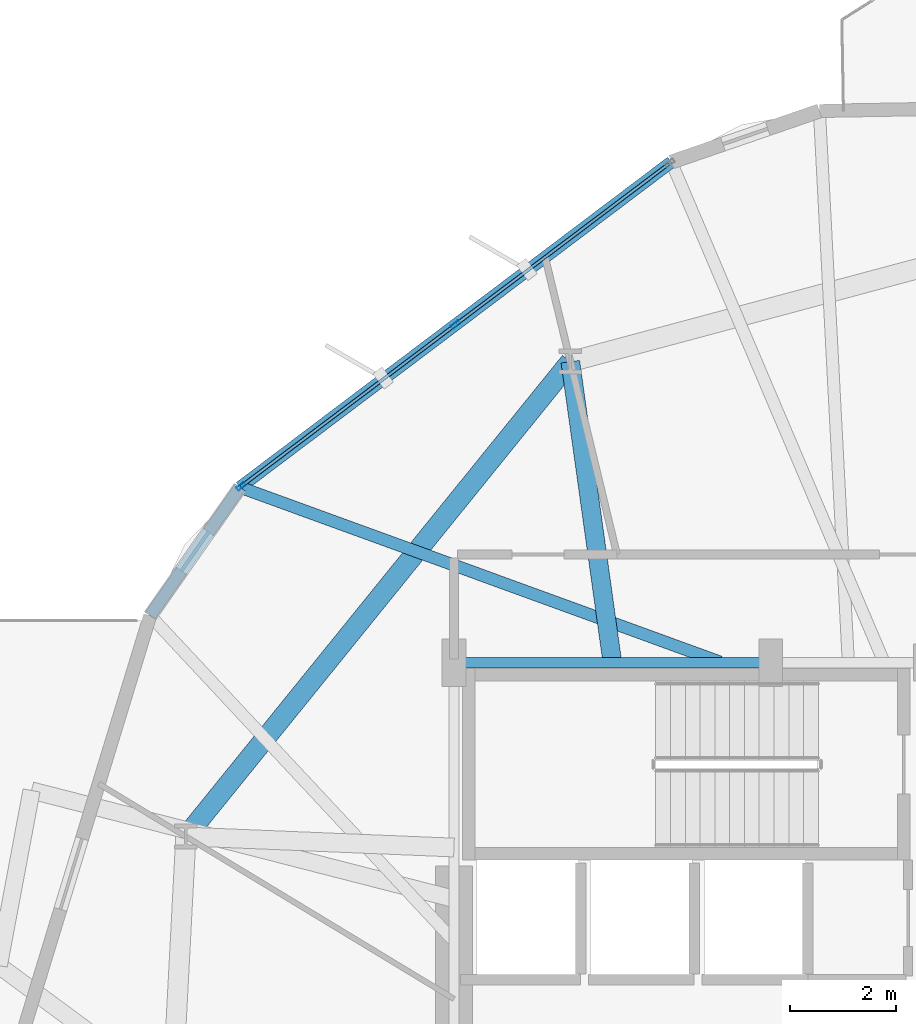
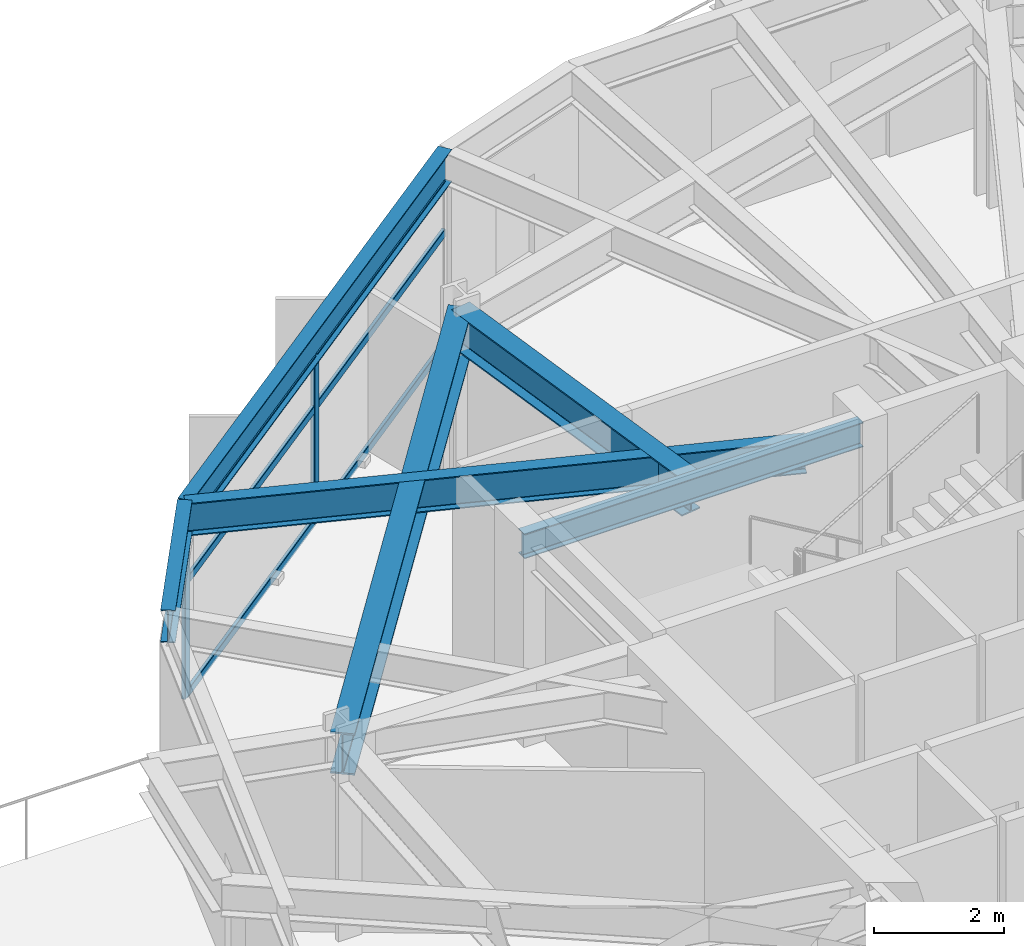
# One storey, part 11 of 23: 8 members, 6 beams, 1 element without a shape of its own.
"""IFC4 building model written with IfcOpenShell, lengths in metres."""

from ifc_helpers import new_model, si_unit, direction, frame, origin, origin_2d, place, context, subcontext, project, spatial, hollow_rectangle, i_section, extrude, material, layer, layer_set, material_profile, profile_set, type_object, element, aggregate, save


model = new_model("IFC4")

# Units and contexts
model_context = context("Model", 3, precision=1e-05, world=origin(), true_north=direction((0.0, 1.0)))
body_context = subcontext(model_context, "Body", "Model", "MODEL_VIEW")
ifc_project = project(units=[si_unit("LENGTHUNIT", "METRE"), si_unit("AREAUNIT", "SQUARE_METRE"), si_unit("VOLUMEUNIT", "CUBIC_METRE"), si_unit("PLANEANGLEUNIT", "RADIAN"), si_unit("MASSUNIT", "GRAM", prefix="KILO")], contexts=[model_context])

# Site, building, storey
site_placement = place(None, origin())
site = spatial("IfcSite", under=ifc_project, at=site_placement, CompositionType="ELEMENT")
building_placement = place(site_placement, origin())
building = spatial("IfcBuilding", under=site, at=building_placement, Name="Soratama Intermodal Tower", CompositionType="ELEMENT")
storey_placement = place(building_placement, frame((0.0, 0.0, 30.60009765625)))
storey = spatial("IfcBuildingStorey", under=building, at=storey_placement, Name="L06", CompositionType="ELEMENT", Elevation=30.60009765625)

# Beams
ifc_material_1 = material(Name="Structural steel ASTM A992 Grade 50", Category="steel")
ifc_material_profile_1 = material_profile(ifc_material_1, i_section(OverallWidth=0.19091796875, OverallDepth=0.4599609375, WebThickness=0.010009765625, FlangeThickness=0.01611328125, FilletRadius=0.010986328125, at=origin_2d()), Name="W18X55")
ifc_profile_set_1 = profile_set([ifc_material_profile_1], Name="Structural steel ASTM A992 Grade 50")
beam_type_1 = type_object("IfcBeamType", Name="BM-FLR-W18X55", PredefinedType="BEAM", material=ifc_profile_set_1)
beam_1_placement = place(storey_placement, frame((38.60009765625, 35.0, 3.469970703125), z_axis=(-1.0, 0.0, 0.0), x_axis=(0.0, -1.0, 0.0)))
element("IfcBeam", 1, at=beam_1_placement, inside=storey, type_object=beam_type_1, Name="BM-L06-CRING-07", PredefinedType="BEAM", context=body_context, shape_type="SweptSolid", body=[
    extrude(i_section(OverallWidth=0.19091796875, OverallDepth=0.4599609375, WebThickness=0.010009765625, FlangeThickness=0.01611328125, FilletRadius=0.010986328125, at=origin_2d()), origin(), (0.0, 0.0, 1.0), 6.0),
])
ifc_material_2 = material(Name="Structural steel ASTM A992 Grade 50", Category="steel")
ifc_material_profile_2 = material_profile(ifc_material_2, i_section(OverallWidth=0.35498046875, OverallDepth=0.695068359375, WebThickness=0.015380859375, FlangeThickness=0.02490234375, FilletRadius=0.01611328125, at=origin_2d()), Name="W27X146")
ifc_profile_set_2 = profile_set([ifc_material_profile_2], Name="Structural steel ASTM A992 Grade 50")
beam_type_2 = type_object("IfcBeamType", Name="BM-RING-W27X146", PredefinedType="BEAM", material=ifc_profile_set_2)
beam_2_placement = place(storey_placement, frame((35.60009765625, 35.0, 3.352294921875), z_axis=(-0.138332473065, 0.990385847484, 0.0), x_axis=(-0.990385847484, -0.138332473065, 0.0)))
element("IfcBeam", 2, at=beam_2_placement, inside=storey, type_object=beam_type_2, Name="BM-L06-RAD-04", PredefinedType="BEAM", context=body_context, shape_type="SweptSolid", body=[
    extrude(i_section(OverallWidth=0.35498046875, OverallDepth=0.695068359375, WebThickness=0.015380859375, FlangeThickness=0.02490234375, FilletRadius=0.01611328125, at=origin_2d()), origin(), (0.0, 0.0, 1.0), 5.75537109375),
])
ifc_material_3 = material(Name="Structural steel ASTM A992 Grade 50", Category="steel")
ifc_material_profile_3 = material_profile(ifc_material_3, i_section(OverallWidth=0.382080078125, OverallDepth=0.779052734375, WebThickness=0.01806640625, FlangeThickness=0.030029296875, FilletRadius=0.01806640625, at=origin_2d()), Name="W30X191")
ifc_profile_set_3 = profile_set([ifc_material_profile_3], Name="Structural steel ASTM A992 Grade 50")
beam_type_3 = type_object("IfcBeamType", Name="BM-RING-W30X191", PredefinedType="BEAM", material=ifc_profile_set_3)
beam_3_placement = place(storey_placement, frame((34.803955078125, 40.699951171875, 3.310302734375), z_axis=(-0.629334198857, -0.777134779912, 0.0), x_axis=(0.777134779912, -0.629334198857, 0.0)))
element("IfcBeam", 3, at=beam_3_placement, inside=storey, type_object=beam_type_3, Name="BM-L06-RING-04", PredefinedType="BEAM", context=body_context, shape_type="SweptSolid", body=[
    extrude(i_section(OverallWidth=0.382080078125, OverallDepth=0.779052734375, WebThickness=0.01806640625, FlangeThickness=0.030029296875, FilletRadius=0.01806640625, at=origin_2d()), origin(), (0.0, 0.0, 1.0), 11.5693359375),
])
ifc_material_4 = material(Name="Structural steel ASTM A992 Grade 50", Category="steel")
ifc_material_profile_4 = material_profile(ifc_material_4, i_section(OverallWidth=0.22900390625, OverallDepth=0.612060546875, WebThickness=0.011962890625, FlangeThickness=0.01953125, FilletRadius=0.012939453125, at=origin_2d()), Name="W24X84")
ifc_profile_set_4 = profile_set([ifc_material_profile_4], Name="Structural steel ASTM A992 Grade 50")
beam_type_4 = type_object("IfcBeamType", Name="BM-SPN-W24X84", PredefinedType="SPANDREL", material=ifc_profile_set_4)
beam_4_placement = place(storey_placement, frame((36.715087890625, 44.48193359375, 3.393798828125), z_axis=(-0.798404955158, -0.602120857951, 0.0), x_axis=(0.602120857951, -0.798404955158, 0.0)))
element("IfcBeam", 4, at=beam_4_placement, inside=storey, type_object=beam_type_4, Name="BS-L06-F04", PredefinedType="SPANDREL", context=body_context, shape_type="SweptSolid", body=[
    extrude(i_section(OverallWidth=0.22900390625, OverallDepth=0.612060546875, WebThickness=0.011962890625, FlangeThickness=0.01953125, FilletRadius=0.012939453125, at=origin_2d()), origin(), (0.0, 0.0, 1.0), 10.23046875),
])
beam_5_placement = place(storey_placement, frame((28.547119140625, 38.322021484375, 3.393798828125), z_axis=(-0.573357413296, -0.819305362254, 0.0), x_axis=(0.819305362254, -0.573357413296, 0.0)))
element("IfcBeam", 5, at=beam_5_placement, inside=storey, type_object=beam_type_4, Name="BS-L06-CRN04", PredefinedType="SPANDREL", context=body_context, shape_type="SweptSolid", body=[
    extrude(i_section(OverallWidth=0.22900390625, OverallDepth=0.612060546875, WebThickness=0.011962890625, FlangeThickness=0.01953125, FilletRadius=0.012939453125, at=origin_2d()), origin(), (0.0, 0.0, 1.0), 2.967041015625),
])
ifc_material_5 = material(Name="Structural steel ASTM A992 Grade 50", Category="steel")
ifc_material_profile_5 = material_profile(ifc_material_5, i_section(OverallWidth=0.22900390625, OverallDepth=0.612060546875, WebThickness=0.011962890625, FlangeThickness=0.01953125, FilletRadius=0.012939453125, at=origin_2d()), Name="W24X84")
ifc_profile_set_5 = profile_set([ifc_material_profile_5], Name="Structural steel ASTM A992 Grade 50")
beam_type_5 = type_object("IfcBeamType", Name="BM-TIE-W24X84", PredefinedType="BEAM", material=ifc_profile_set_5)
beam_6_placement = place(storey_placement, frame((37.637939453125, 35.013916015625, 3.393798828125), z_axis=(-0.939715293993, 0.341957842776, 0.0), x_axis=(-0.341957842776, -0.939715293993, 0.0)))
element("IfcBeam", 6, at=beam_6_placement, inside=storey, type_object=beam_type_5, Name="BM-L06-TIE1-04", PredefinedType="BEAM", context=body_context, shape_type="SweptSolid", body=[
    extrude(i_section(OverallWidth=0.22900390625, OverallDepth=0.612060546875, WebThickness=0.011962890625, FlangeThickness=0.01953125, FilletRadius=0.012939453125, at=origin_2d()), origin(), (0.0, 0.0, 1.0), 9.674072265625),
])

# Curtain wall, members
ifc_material_6 = material(Name="Double-glazed aluminium curtain wall", Category="aluminium")
ifc_layer = layer(ifc_material_6, 0.159912109375)
ifc_layer_set = layer_set([ifc_layer], Name="Double-glazed aluminium curtain wall")
curtain_wall_type = type_object("IfcCurtainWallType", Name="CW-SYS-2", PredefinedType="NOTDEFINED", material=ifc_layer_set)
curtain_wall_placement = place(storey_placement, origin())
curtain_wall = element("IfcCurtainWall", 7, at=curtain_wall_placement, inside=storey, type_object=curtain_wall_type, Name="L06 Faceted Curtain Wall F04", PredefinedType="NOTDEFINED")
ifc_material_7 = material(Name="Anodised aluminium AA 6063-T6", Category="aluminium")
ifc_material_profile_6 = material_profile(ifc_material_7, hollow_rectangle(XDim=0.074951171875, YDim=0.179931640625, WallThickness=0.006103515625, InnerFilletRadius=0.006103515625, OuterFilletRadius=0.011962890625, at=origin_2d()), Name="CWM180X75X6")
ifc_profile_set_6 = profile_set([ifc_material_profile_6], Name="Anodised aluminium AA 6063-T6")
member_type_1 = type_object("IfcMemberType", Name="MT-CWM-2", PredefinedType="MULLION", material=ifc_profile_set_6)
member_1_placement = place(storey_placement, frame((32.63134765625, 41.40185546875, 0.0), z_axis=(0.0, 0.0, 1.0), x_axis=(0.602090543366, -0.798427816142, 0.0)))
member_1 = element("IfcMember", 8, at=member_1_placement, type_object=member_type_1, Name="CW-2 mullion 2", PredefinedType="MULLION", context=body_context, shape_type="SweptSolid", body=[
    extrude(hollow_rectangle(XDim=0.074951171875, YDim=0.179931640625, WallThickness=0.006103515625, InnerFilletRadius=0.006103515625, OuterFilletRadius=0.011962890625, at=origin_2d()), origin(), (0.0, 0.0, 1.0), 3.078857421875),
])
member_2_placement = place(storey_placement, frame((28.571044921875, 38.340087890625, 0.0), z_axis=(0.0, 0.0, 1.0), x_axis=(0.602090543366, -0.798427816142, 0.0)))
member_2 = element("IfcMember", 9, at=member_2_placement, type_object=member_type_1, Name="CW-2 mullion 3", PredefinedType="MULLION", context=body_context, shape_type="SweptSolid", body=[
    extrude(hollow_rectangle(XDim=0.074951171875, YDim=0.179931640625, WallThickness=0.006103515625, InnerFilletRadius=0.006103515625, OuterFilletRadius=0.011962890625, at=origin_2d()), origin(), (0.0, 0.0, 1.0), 3.078857421875),
])
ifc_material_8 = material(Name="Anodised aluminium AA 6063-T6", Category="aluminium")
ifc_material_profile_7 = material_profile(ifc_material_8, hollow_rectangle(XDim=0.06494140625, YDim=0.14990234375, WallThickness=0.0048828125, InnerFilletRadius=0.0048828125, OuterFilletRadius=0.010009765625, at=origin_2d()), Name="CWT150X65X5")
ifc_profile_set_7 = profile_set([ifc_material_profile_7], Name="Anodised aluminium AA 6063-T6")
member_type_2 = type_object("IfcMemberType", Name="TT-CWT-1", PredefinedType="USERDEFINED", material=ifc_profile_set_7)
member_3_placement = place(storey_placement, frame((36.66748046875, 44.445556640625, 0.02978515625), z_axis=(-0.798423137719, -0.602096747338, 0.0), x_axis=(0.602096747338, -0.798423137719, 0.0)))
member_3 = element("IfcMember", 10, at=member_3_placement, type_object=member_type_2, Name="CW-2 transom 1.1", ObjectType="TRANSOM", PredefinedType="USERDEFINED", context=body_context, shape_type="SweptSolid", body=[
    extrude(hollow_rectangle(XDim=0.06494140625, YDim=0.14990234375, WallThickness=0.0048828125, InnerFilletRadius=0.0048828125, OuterFilletRadius=0.010009765625, at=origin_2d()), origin(), (0.0, 0.0, 1.0), 5.025146484375),
])
member_4_placement = place(storey_placement, frame((36.66748046875, 44.445556640625, 2.14990234375), z_axis=(-0.798423137719, -0.602096747338, 0.0), x_axis=(0.602096747338, -0.798423137719, 0.0)))
member_4 = element("IfcMember", 11, at=member_4_placement, type_object=member_type_2, Name="CW-2 transom 1.2", ObjectType="TRANSOM", PredefinedType="USERDEFINED", context=body_context, shape_type="SweptSolid", body=[
    extrude(hollow_rectangle(XDim=0.06494140625, YDim=0.14990234375, WallThickness=0.0048828125, InnerFilletRadius=0.0048828125, OuterFilletRadius=0.010009765625, at=origin_2d()), origin(), (0.0, 0.0, 1.0), 5.025146484375),
])
member_5_placement = place(storey_placement, frame((36.66748046875, 44.445556640625, 3.048828125), z_axis=(-0.798423137719, -0.602096747338, 0.0), x_axis=(0.602096747338, -0.798423137719, 0.0)))
member_5 = element("IfcMember", 12, at=member_5_placement, type_object=member_type_2, Name="CW-2 transom 1.3", ObjectType="TRANSOM", PredefinedType="USERDEFINED", context=body_context, shape_type="SweptSolid", body=[
    extrude(hollow_rectangle(XDim=0.06494140625, YDim=0.14990234375, WallThickness=0.0048828125, InnerFilletRadius=0.0048828125, OuterFilletRadius=0.010009765625, at=origin_2d()), origin(), (0.0, 0.0, 1.0), 5.025146484375),
])
member_6_placement = place(storey_placement, frame((32.607421875, 41.3837890625, 0.02978515625), z_axis=(-0.798423137719, -0.602096747338, 0.0), x_axis=(0.602096747338, -0.798423137719, 0.0)))
member_6 = element("IfcMember", 13, at=member_6_placement, type_object=member_type_2, Name="CW-2 transom 2.1", ObjectType="TRANSOM", PredefinedType="USERDEFINED", context=body_context, shape_type="SweptSolid", body=[
    extrude(hollow_rectangle(XDim=0.06494140625, YDim=0.14990234375, WallThickness=0.0048828125, InnerFilletRadius=0.0048828125, OuterFilletRadius=0.010009765625, at=origin_2d()), origin(), (0.0, 0.0, 1.0), 5.025146484375),
])
member_7_placement = place(storey_placement, frame((32.607421875, 41.3837890625, 2.14990234375), z_axis=(-0.798423137719, -0.602096747338, 0.0), x_axis=(0.602096747338, -0.798423137719, 0.0)))
member_7 = element("IfcMember", 14, at=member_7_placement, type_object=member_type_2, Name="CW-2 transom 2.2", ObjectType="TRANSOM", PredefinedType="USERDEFINED", context=body_context, shape_type="SweptSolid", body=[
    extrude(hollow_rectangle(XDim=0.06494140625, YDim=0.14990234375, WallThickness=0.0048828125, InnerFilletRadius=0.0048828125, OuterFilletRadius=0.010009765625, at=origin_2d()), origin(), (0.0, 0.0, 1.0), 5.025146484375),
])
member_8_placement = place(storey_placement, frame((32.607421875, 41.3837890625, 3.048828125), z_axis=(-0.798423137719, -0.602096747338, 0.0), x_axis=(0.602096747338, -0.798423137719, 0.0)))
member_8 = element("IfcMember", 15, at=member_8_placement, type_object=member_type_2, Name="CW-2 transom 2.3", ObjectType="TRANSOM", PredefinedType="USERDEFINED", context=body_context, shape_type="SweptSolid", body=[
    extrude(hollow_rectangle(XDim=0.06494140625, YDim=0.14990234375, WallThickness=0.0048828125, InnerFilletRadius=0.0048828125, OuterFilletRadius=0.010009765625, at=origin_2d()), origin(), (0.0, 0.0, 1.0), 5.025146484375),
])
aggregate(curtain_wall, [member_1, member_2, member_3, member_4, member_5, member_6, member_7, member_8])

save(model, "model.ifc")
